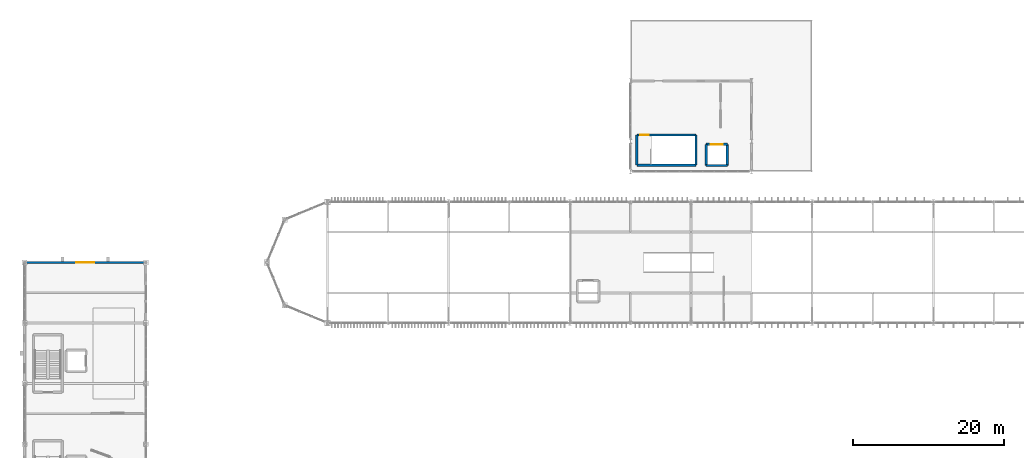
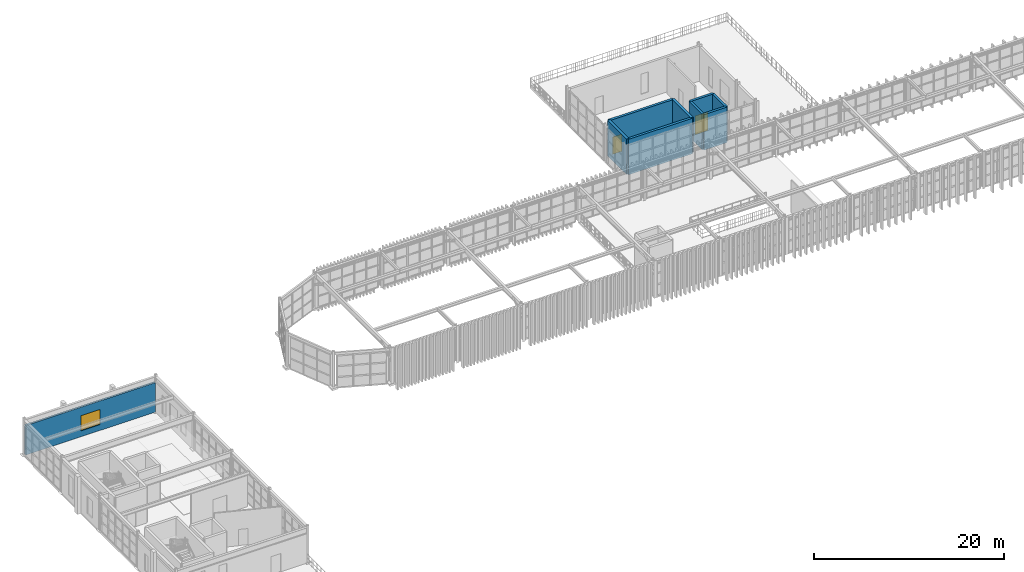
# One storey, part 51 of 61: 9 walls, 2 doors, 1 window, 3 openings.
"""IFC4 building model written with IfcOpenShell, lengths in metres."""

from ifc_helpers import new_model, si_unit, direction, frame, frame_2d, origin, place, context, subcontext, project, spatial, rectangle, extrude, material, layer, layer_set, type_object, element, fill, save


model = new_model("IFC4")

# Units and contexts
model_context = context("Model", 3, precision=1e-05, world=origin(), true_north=direction((0.0, 1.0)))
body_context = subcontext(model_context, "Body", "Model", "MODEL_VIEW")
ifc_project = project(units=[si_unit("LENGTHUNIT", "METRE"), si_unit("AREAUNIT", "SQUARE_METRE"), si_unit("VOLUMEUNIT", "CUBIC_METRE"), si_unit("PLANEANGLEUNIT", "RADIAN"), si_unit("MASSUNIT", "GRAM", prefix="KILO")], contexts=[model_context])

# Site, building, storey
site_placement = place(None, origin())
site = spatial("IfcSite", under=ifc_project, at=site_placement, CompositionType="ELEMENT")
building_placement = place(site_placement, origin())
building = spatial("IfcBuilding", under=site, at=building_placement, Name="Serraluz Foothill Cableway Terminal", CompositionType="ELEMENT")
storey_placement = place(building_placement, frame((0.0, 0.0, 15.0)))
storey = spatial("IfcBuildingStorey", under=building, at=storey_placement, Name="L03", CompositionType="ELEMENT", Elevation=15.0)

# Wall, opening, window
ifc_material_1 = material(Name="Andean basalt ashlar masonry (f'm 18 MPa)", Category="masonry")
ifc_layer_1 = layer(ifc_material_1, 0.239990234375, Name="Andean basalt ashlar masonry (f'm 18 MPa)", Category="masonry")
ifc_layer_set_1 = layer_set([ifc_layer_1], Name="Andean basalt ashlar masonry (f'm 18 MPa)")
wall_type_1 = type_object("IfcWallType", Name="TYP-WL-EXT-240", PredefinedType="STANDARD", material=ifc_layer_set_1)
wall_1_placement = place(storey_placement, frame((0.125, 64.0, 0.0), z_axis=(0.0, 0.0, 1.0), x_axis=(1.0, 0.0, 0.0)))
wall_1 = element("IfcWall", 1, at=wall_1_placement, inside=storey, type_object=wall_type_1, Name="Exterior Masonry Wall EW-V5N-L03", PredefinedType="STANDARD", context=body_context, shape_type="SweptSolid", body=[
    extrude(rectangle(XDim=15.75, YDim=0.239990234375, at=frame_2d((7.875, 0.0))), origin(), (0.0, 0.0, 1.0), 3.794921875),
])
opening_1_placement = place(wall_1_placement, frame((6.699951171875, 0.0, 0.75)))
opening_1 = element("IfcOpeningElement", 2, at=opening_1_placement, cuts=wall_1, Name="Opening W-46", PredefinedType="OPENING", context=body_context, shape_type="SweptSolid", body=[
    extrude(rectangle(XDim=2.35009765625, YDim=1.949951171875, at=frame_2d((1.175048828125, 0.97509765625))), frame((0.0, 0.1298828125, 0.0), z_axis=(0.0, -1.0, 0.0), x_axis=(1.0, 0.0, 0.0)), (0.0, 0.0, 1.0), 0.260009765625),
])
ifc_material_2 = material(Name="Laminated low-E safety glass", Category="glass")
window_type = type_object("IfcWindowType", Name="TYP-WN-235X195", PartitioningType="TRIPLE_PANEL_VERTICAL", PredefinedType="WINDOW", material=ifc_material_2)
window_placement = place(opening_1_placement, origin())
window = element("IfcWindow", 3, at=window_placement, inside=storey, type_object=window_type, Name="Exterior Window EW-V5N-L03-WN2", OverallHeight=1.949951171875, OverallWidth=2.35009765625, PartitioningType="SINGLE_PANEL", PredefinedType="WINDOW", context=body_context, shape_type="SweptSolid", body=[
    extrude(rectangle(XDim=2.35009765625, YDim=1.949951171875, at=frame_2d((1.175048828125, 0.97509765625))), frame((0.0, 0.030029296875, 0.0), z_axis=(0.0, -1.0, 0.0), x_axis=(1.0, 0.0, 0.0)), (0.0, 0.0, 1.0), 0.06005859375),
])
fill(opening_1, window)

# Walls
ifc_material_3 = material(Name="Concrete C35/45 (f'c 35 MPa)", Category="concrete")
ifc_layer_2 = layer(ifc_material_3, 0.300048828125, Name="Concrete C35/45 (f'c 35 MPa)", Category="concrete")
ifc_layer_set_2 = layer_set([ifc_layer_2], Name="Concrete C35/45 (f'c 35 MPa)")
wall_type_2 = type_object("IfcWallType", Name="TYP-WL-SHR-350", PredefinedType="SHEAR", material=ifc_layer_set_2)
wall_2_placement = place(storey_placement, frame((88.659912109375, 76.85009765625, 0.0), z_axis=(0.0, 0.0, 1.0), x_axis=(-1.0, 0.0, 0.0)))
element("IfcWall", 4, at=wall_2_placement, inside=storey, type_object=wall_type_2, Name="Stair Core Shear Wall CW-ST-08-L03-S", PredefinedType="SHEAR", context=body_context, shape_type="SweptSolid", body=[
    extrude(rectangle(XDim=7.809814453125, YDim=0.300048828125, at=frame_2d((3.90478515625, 0.0))), origin(), (0.0, 0.0, 1.0), 4.56005859375),
])
wall_3_placement = place(storey_placement, frame((80.85009765625, 76.85009765625, 0.0), z_axis=(0.0, 0.0, 1.0), x_axis=(0.0, 1.0, 0.0)))
element("IfcWall", 5, at=wall_3_placement, inside=storey, type_object=wall_type_2, Name="Stair Core Shear Wall CW-ST-08-L03-W", PredefinedType="SHEAR", context=body_context, shape_type="SweptSolid", body=[
    extrude(rectangle(XDim=3.97998046875, YDim=0.300048828125, at=frame_2d((1.989990234375, 0.0))), origin(), (0.0, 0.0, 1.0), 4.56005859375),
])

# Wall, opening, door
wall_4_placement = place(storey_placement, frame((80.85009765625, 80.830078125, 0.0), z_axis=(0.0, 0.0, 1.0), x_axis=(1.0, 0.0, 0.0)))
wall_4 = element("IfcWall", 6, at=wall_4_placement, inside=storey, type_object=wall_type_2, Name="Stair Core Shear Wall CW-ST-08-L03-N", PredefinedType="SHEAR", context=body_context, shape_type="SweptSolid", body=[
    extrude(rectangle(XDim=7.809814453125, YDim=0.300048828125, at=frame_2d((3.90478515625, 0.0))), origin(), (0.0, 0.0, 1.0), 4.56005859375),
])
opening_2_placement = place(wall_4_placement, frame((0.449951171875, 0.0, 0.0)))
opening_2 = element("IfcOpeningElement", 7, at=opening_2_placement, cuts=wall_4, Name="Opening DF-07", PredefinedType="OPENING", context=body_context, shape_type="SweptSolid", body=[
    extrude(rectangle(XDim=1.10009765625, YDim=2.199951171875, at=frame_2d((0.550048828125, 1.10009765625))), frame((0.0, 0.16015625, 0.0), z_axis=(0.0, -1.0, 0.0), x_axis=(1.0, 0.0, 0.0)), (0.0, 0.0, 1.0), 0.320068359375),
])
ifc_material_4 = material(Name="Galvanized hollow-metal steel sheet", Category="steel")
door_type_1 = type_object("IfcDoorType", Name="TYP-DR-FD60-1100", OperationType="NOTDEFINED", PredefinedType="DOOR", material=ifc_material_4)
door_1_placement = place(opening_2_placement, origin())
door_1 = element("IfcDoor", 8, at=door_1_placement, inside=storey, type_object=door_type_1, Name="Exit Stair Fire Door ST-08 L03", OperationType="SINGLE_SWING_LEFT", OverallHeight=2.199951171875, OverallWidth=1.10009765625, PredefinedType="DOOR", context=body_context, shape_type="SweptSolid", body=[
    extrude(rectangle(XDim=1.10009765625, YDim=2.199951171875, at=frame_2d((0.550048828125, 1.10009765625))), frame((0.0, 0.02490234375, 0.0), z_axis=(0.0, -1.0, 0.0), x_axis=(1.0, 0.0, 0.0)), (0.0, 0.0, 1.0), 0.050048828125),
])
fill(opening_2, door_1)

# Walls
wall_5_placement = place(storey_placement, frame((88.659912109375, 80.830078125, 0.0), z_axis=(0.0, 0.0, 1.0), x_axis=(0.0, -1.0, 0.0)))
element("IfcWall", 9, at=wall_5_placement, inside=storey, type_object=wall_type_2, Name="Stair Core Shear Wall CW-ST-08-L03-E", PredefinedType="SHEAR", context=body_context, shape_type="SweptSolid", body=[
    extrude(rectangle(XDim=3.97998046875, YDim=0.300048828125, at=frame_2d((1.989990234375, 0.0))), origin(), (0.0, 0.0, 1.0), 4.56005859375),
])
for number, where, z_axis, x_axis, name in (
    (10, (92.800048828125, 76.800048828125, 0.0), (0.0, 0.0, 1.0), (-1.0, 0.0, 0.0), "Lift Shaft Shear Wall LW-LF-07-L03-S"),
    (11, (90.0, 76.800048828125, 0.0), (0.0, 0.0, 1.0), (0.0, 1.0, 0.0), "Lift Shaft Shear Wall LW-LF-07-L03-W"),
):
    element("IfcWall", number, at=place(storey_placement, frame(where, z_axis=z_axis, x_axis=x_axis)), inside=storey, type_object=wall_type_2, Name=name, PredefinedType="SHEAR", context=body_context, shape_type="SweptSolid", body=[
        extrude(rectangle(XDim=2.800048828125, YDim=0.300048828125, at=frame_2d((1.39990234375, 0.0))), origin(), (0.0, 0.0, 1.0), 4.56005859375),
    ])

# Wall, opening, door
wall_6_placement = place(storey_placement, frame((90.0, 79.60009765625, 0.0), z_axis=(0.0, 0.0, 1.0), x_axis=(1.0, 0.0, 0.0)))
wall_6 = element("IfcWall", 12, at=wall_6_placement, inside=storey, type_object=wall_type_2, Name="Lift Shaft Shear Wall LW-LF-07-L03-N", PredefinedType="SHEAR", context=body_context, shape_type="SweptSolid", body=[
    extrude(rectangle(XDim=2.800048828125, YDim=0.300048828125, at=frame_2d((1.39990234375, 0.0))), origin(), (0.0, 0.0, 1.0), 4.56005859375),
])
opening_3_placement = place(wall_6_placement, frame((0.60009765625, 0.0, 0.0)))
opening_3 = element("IfcOpeningElement", 13, at=opening_3_placement, cuts=wall_6, Name="Opening LD-03", PredefinedType="OPENING", context=body_context, shape_type="SweptSolid", body=[
    extrude(rectangle(XDim=1.60009765625, YDim=2.39990234375, at=frame_2d((0.800048828125, 1.199951171875))), frame((0.0, 0.16015625, 0.0), z_axis=(0.0, -1.0, 0.0), x_axis=(1.0, 0.0, 0.0)), (0.0, 0.0, 1.0), 0.320068359375),
])
door_type_2 = type_object("IfcDoorType", Name="TYP-DR-LD-1600", OperationType="DOUBLE_DOOR_SLIDING", PredefinedType="DOOR", material=ifc_material_4)
door_2_placement = place(opening_3_placement, origin())
door_2 = element("IfcDoor", 14, at=door_2_placement, inside=storey, type_object=door_type_2, Name="Lift Sliding Landing Door LF-07 L03", OperationType="DOUBLE_DOOR_SLIDING", OverallHeight=2.39990234375, OverallWidth=1.60009765625, PredefinedType="DOOR", context=body_context, shape_type="SweptSolid", body=[
    extrude(rectangle(XDim=1.60009765625, YDim=2.39990234375, at=frame_2d((0.800048828125, 1.199951171875))), frame((0.0, 0.02490234375, 0.0), z_axis=(0.0, -1.0, 0.0), x_axis=(1.0, 0.0, 0.0)), (0.0, 0.0, 1.0), 0.050048828125),
])
fill(opening_3, door_2)

# Wall
wall_7_placement = place(storey_placement, frame((92.800048828125, 79.60009765625, 0.0), z_axis=(0.0, 0.0, 1.0), x_axis=(0.0, -1.0, 0.0)))
element("IfcWall", 15, at=wall_7_placement, inside=storey, type_object=wall_type_2, Name="Lift Shaft Shear Wall LW-LF-07-L03-E", PredefinedType="SHEAR", context=body_context, shape_type="SweptSolid", body=[
    extrude(rectangle(XDim=2.800048828125, YDim=0.300048828125, at=frame_2d((1.39990234375, 0.0))), origin(), (0.0, 0.0, 1.0), 4.56005859375),
])

save(model, "model.ifc")
